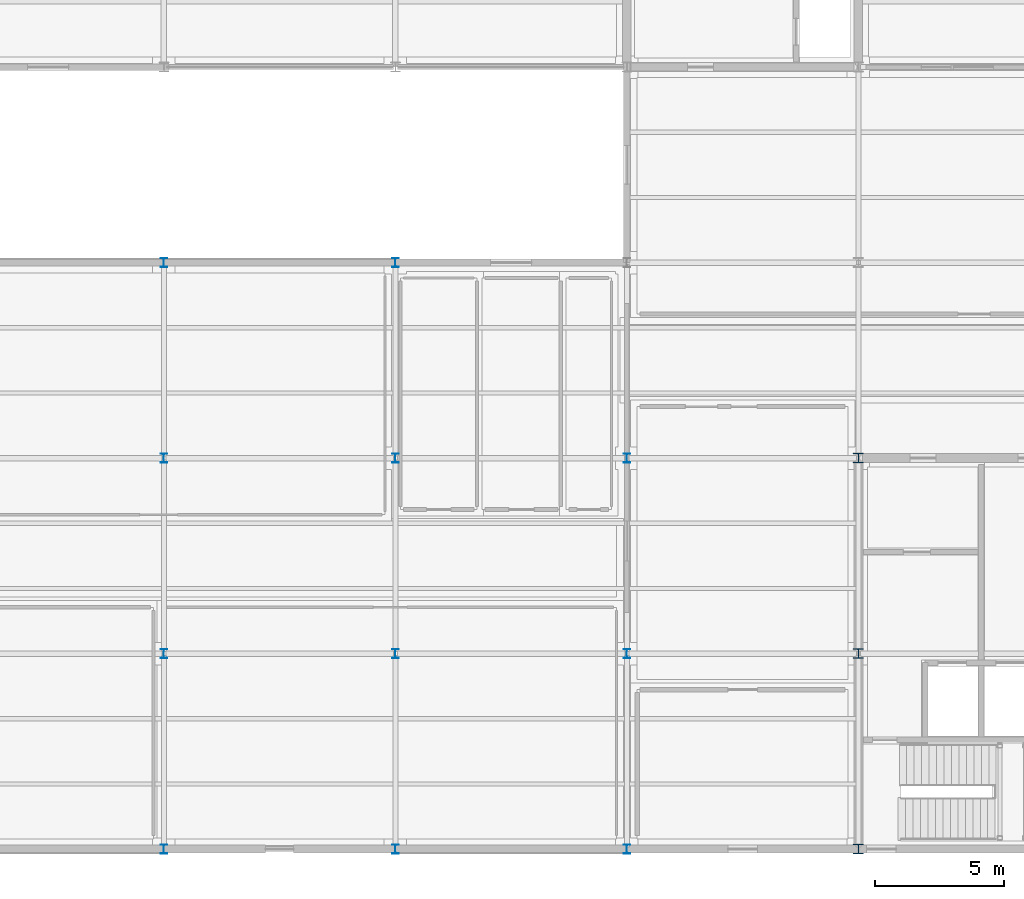
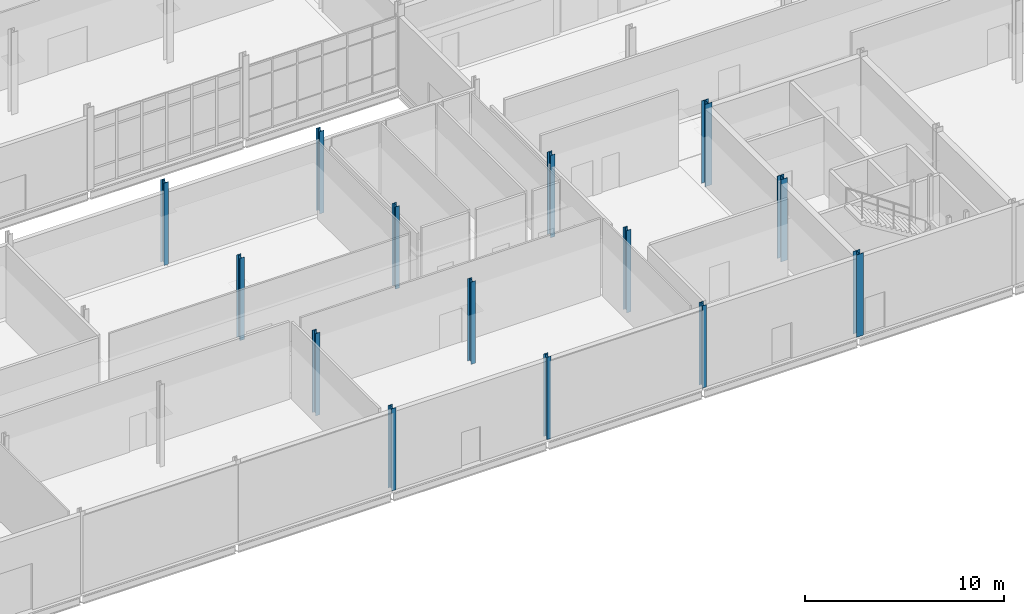
# One storey, part 4 of 161: 14 columns.
"""IFC4 building model written with IfcOpenShell, lengths in metres."""

import ifcopenshell
import ifcopenshell.guid

model = None  # the IFC model being written
_history = None  # IfcOwnerHistory: only IFC2X3 demands one
_inside = {}  # id of a spatial element -> (the spatial element, [elements in it])
_under = {}  # id of a project, library or spatial element -> (it, [spatial elements below it])
_declared = {}  # id of a project -> (the project, [libraries it declares])
_typed = {}  # id of a type object -> (the type object, [elements of that type])
_made_of = {}  # id of a material, layer set ... -> (it, [elements and type objects made of it])


def new_model(schema):
    """Start an empty IFC model of exactly this schema.

    Asked for "IFC4X3", IfcOpenShell would pick the latest addendum, in which some entities
    have other attributes; the version numbers below select the first issue.
    IFC2X3 requires an IfcOwnerHistory on every rooted entity: one is made here for all.
    """
    global model, _history
    if schema == "IFC4X3":
        model = ifcopenshell.file(schema_version=(4, 3, 0, 0))
    else:
        model = ifcopenshell.file(schema=schema)
    _inside.clear()
    _under.clear()
    _declared.clear()
    _typed.clear()
    _made_of.clear()
    _history = None
    if model.schema == "IFC2X3":
        org = make("IfcOrganization", Name="unknown")
        user = make(
            "IfcPersonAndOrganization",
            ThePerson=make("IfcPerson", FamilyName="unknown"),
            TheOrganization=org,
        )
        app = make(
            "IfcApplication",
            ApplicationDeveloper=org,
            Version="unknown",
            ApplicationFullName="unknown",
            ApplicationIdentifier="unknown",
        )
        _history = make(
            "IfcOwnerHistory",
            OwningUser=user,
            OwningApplication=app,
            ChangeAction="ADDED",
            CreationDate=0,
        )
    return model


def make(cls, **values):
    """One entity of the class cls with the attributes given. An attribute that is None is left unset."""
    return model.create_entity(
        cls, **{name: value for name, value in values.items() if value is not None}
    )


def rooted(cls, **values):
    """An entity with a GlobalId (a new one), such as an element, a storey or a relation."""
    return make(cls, GlobalId=ifcopenshell.guid.new(), OwnerHistory=_history, **values)


def si_unit(unit_type, name, prefix=None):
    """IfcSIUnit, for example si_unit("LENGTHUNIT", "METRE", prefix="MILLI")."""
    return make("IfcSIUnit", UnitType=unit_type, Prefix=prefix, Name=name)


def assignment(units):
    """IfcUnitAssignment: the units of a project."""
    return None if units is None else make("IfcUnitAssignment", Units=units)


def point(xyz):
    """IfcCartesianPoint."""
    return None if xyz is None else make("IfcCartesianPoint", Coordinates=xyz)


def direction(xyz):
    """IfcDirection."""
    return None if xyz is None else make("IfcDirection", DirectionRatios=xyz)


def frame(location, z_axis=None, x_axis=None):
    """IfcAxis2Placement3D, a coordinate frame: its origin and axes. An axis left out is left unset."""
    return make(
        "IfcAxis2Placement3D",
        Location=point(location),
        Axis=direction(z_axis),
        RefDirection=direction(x_axis),
    )


def frame_2d(location, x_axis=None):
    """IfcAxis2Placement2D, a coordinate frame in the plane: its origin and x axis."""
    return make(
        "IfcAxis2Placement2D", Location=point(location), RefDirection=direction(x_axis)
    )


def origin():
    """The frame at (0, 0, 0) with its axes left unset."""
    return frame((0.0, 0.0, 0.0))


def origin_2d():
    """The frame at (0, 0) in the plane with its x axis left unset."""
    return frame_2d((0.0, 0.0))


def place(relative_to, where):
    """IfcLocalPlacement: puts the frame where relative to a parent placement (None: the world)."""
    return make(
        "IfcLocalPlacement", PlacementRelTo=relative_to, RelativePlacement=where
    )


def context(
    kind, dimensions, precision=None, world=None, true_north=None, identifier=None
):
    """IfcGeometricRepresentationContext, for example the 3D "Model" context."""
    return make(
        "IfcGeometricRepresentationContext",
        ContextIdentifier=identifier,
        ContextType=kind,
        CoordinateSpaceDimension=dimensions,
        Precision=precision,
        WorldCoordinateSystem=world,
        TrueNorth=true_north,
    )


def subcontext(parent, identifier, kind, view, scale=None):
    """IfcGeometricRepresentationSubContext, for example "Body" below "Model"."""
    return make(
        "IfcGeometricRepresentationSubContext",
        ContextIdentifier=identifier,
        ContextType=kind,
        ParentContext=parent,
        TargetScale=scale,
        TargetView=view,
    )


def project(units=None, contexts=None):
    """IfcProject with its units and contexts."""
    return rooted(
        "IfcProject",
        Name="project",
        RepresentationContexts=contexts,
        UnitsInContext=assignment(units),
    )


def spatial(cls, under=None, at=None, **own):
    """A site, building, storey or space (cls), placed at a placement, below another one or the project."""
    s = rooted(cls, ObjectPlacement=at, **own)
    if under is not None:
        _under.setdefault(under.id(), (under, []))[1].append(s)
    return s


def profile(cls, at=None, kind="AREA", **sizes):
    """A parametric profile (cls). Its sizes go by their IFC names, for example OverallWidth=200.0."""
    return make(cls, ProfileType=kind, Position=at, **sizes)


def i_section(**sizes):
    """IfcIShapeProfileDef."""
    return profile("IfcIShapeProfileDef", **sizes)


def extrude(swept, where, along, depth):
    """IfcExtrudedAreaSolid: the profile swept, set in the frame where, extruded along a direction by depth."""
    return make(
        "IfcExtrudedAreaSolid",
        SweptArea=swept,
        Position=where,
        ExtrudedDirection=direction(along),
        Depth=depth,
    )


def shape(context_of_items, identifier, shape_type, items):
    """IfcShapeRepresentation: the items that make up one representation, for example the "Body"."""
    return make(
        "IfcShapeRepresentation",
        ContextOfItems=context_of_items,
        RepresentationIdentifier=identifier,
        RepresentationType=shape_type,
        Items=items,
    )


def material(Name=None, Category=None):
    """IfcMaterial."""
    return make("IfcMaterial", Name=Name, Category=Category)


def material_profile(
    of_material, cross_section, Name=None, Category=None, Priority=None
):
    """IfcMaterialProfile: a cross section and its material."""
    return make(
        "IfcMaterialProfile",
        Name=Name,
        Material=of_material,
        Profile=cross_section,
        Priority=Priority,
        Category=Category,
    )


def profile_set(profiles, Name=None, composite=None):
    """IfcMaterialProfileSet."""
    return make(
        "IfcMaterialProfileSet",
        Name=Name,
        MaterialProfiles=profiles,
        CompositeProfile=composite,
    )


def made_of(thing, what):
    """Note that an element or type object is made of a material, layer set ...; save() writes the relation."""
    if what is not None:
        _made_of.setdefault(what.id(), (what, []))[1].append(thing)
    return thing


def type_object(cls, material=None, **own):
    """A type object (cls), such as IfcWallType, which elements share."""
    return made_of(rooted(cls, **own), material)


def element(
    cls,
    number,
    at=None,
    inside=None,
    cuts=None,
    type_object=None,
    material=None,
    context=None,
    identifier="Body",
    shape_type=None,
    held_by="IfcProductDefinitionShape",
    body=None,
    shapes=None,
    **own,
):
    """One element of the class cls, such as IfcWall. Its Tag is "e" and its number.

    at: its placement. inside: the storey or other place that contains it. cuts: it is an
    opening in that element (IfcRelVoidsElement). A single representation is given by context,
    identifier, shape_type and body (its items); several are given by shapes. held_by: the class
    of the entity that holds the representations. save() writes the other relations.
    """
    e = rooted(cls, Tag="e%d" % number, ObjectPlacement=at, **own)
    if body is not None:
        shapes = [shape(context, identifier, shape_type, body)]
    if shapes is not None:
        e.Representation = make(held_by, Representations=shapes)
    if inside is not None:
        _inside.setdefault(inside.id(), (inside, []))[1].append(e)
    if cuts is not None:
        rooted(
            "IfcRelVoidsElement", RelatingBuildingElement=cuts, RelatedOpeningElement=e
        )
    if type_object is not None:
        _typed.setdefault(type_object.id(), (type_object, []))[1].append(e)
    return made_of(e, material)


def aggregate(whole, parts):
    """IfcRelAggregates: a whole, such as a stair, and the parts it consists of."""
    return rooted("IfcRelAggregates", RelatingObject=whole, RelatedObjects=parts)


def save(model, path):
    """Write the relations noted so far, then the file.

    IfcRelAggregates (storeys below a building ...), IfcRelContainedInSpatialStructure (elements
    in a storey), IfcRelDefinesByType, IfcRelAssociatesMaterial and IfcRelDeclares: one each for
    every whole, place, type object, material and project.
    """
    for whole, parts in _under.values():
        aggregate(whole, parts)
    for where, things in _inside.values():
        rooted(
            "IfcRelContainedInSpatialStructure",
            RelatedElements=things,
            RelatingStructure=where,
        )
    for kind, things in _typed.values():
        rooted("IfcRelDefinesByType", RelatedObjects=things, RelatingType=kind)
    for what, things in _made_of.values():
        rooted("IfcRelAssociatesMaterial", RelatedObjects=things, RelatingMaterial=what)
    for by, libraries in _declared.values():
        rooted("IfcRelDeclares", RelatingContext=by, RelatedDefinitions=libraries)
    model.write(path)


model = new_model("IFC4")

# Units and contexts
model_context = context("Model", 3, precision=1e-05, world=origin(), true_north=direction((0.0, 1.0)))
body_context = subcontext(model_context, "Body", "Model", "MODEL_VIEW")
ifc_project = project(units=[si_unit("LENGTHUNIT", "METRE"), si_unit("AREAUNIT", "SQUARE_METRE"), si_unit("VOLUMEUNIT", "CUBIC_METRE"), si_unit("PLANEANGLEUNIT", "RADIAN"), si_unit("MASSUNIT", "GRAM", prefix="KILO")], contexts=[model_context])

# Site, building, storey
site_placement = place(None, origin())
site = spatial("IfcSite", under=ifc_project, at=site_placement, CompositionType="ELEMENT")
building_placement = place(site_placement, origin())
building = spatial("IfcBuilding", under=site, at=building_placement, Name="Caisbarro Railhouse Central Library", CompositionType="ELEMENT")
storey_placement = place(building_placement, origin())
storey = spatial("IfcBuildingStorey", under=building, at=storey_placement, Name="L00", CompositionType="ELEMENT", Elevation=0.0)

# Columns
ifc_material = material(Name="Steel ASTM A572 Grade 50", Category="steel")
ifc_material_profile_1 = material_profile(ifc_material, i_section(OverallWidth=0.39404296875, OverallDepth=0.375, WebThickness=0.017333984375, FlangeThickness=0.027587890625, FilletRadius=0.01806640625, at=origin_2d()), Name="W360X216.0")
ifc_profile_set_1 = profile_set([ifc_material_profile_1], Name="Steel ASTM A572 Grade 50")
column_type_1 = type_object("IfcColumnType", Name="COL-C01", PredefinedType="COLUMN", material=ifc_profile_set_1)
for number, where, z_axis, x_axis, name in (
    (1, (63.0, 0.0, 0.0), (0.0, 0.0, 1.0), (1.0, 0.0, 0.0), "C01 column L00 (63.0,0.0)"),
    (2, (63.0, 7.60009765625, 0.0), (0.0, 0.0, 1.0), (1.0, 0.0, 0.0), "C01 column L00 (63.0,7.6)"),
    (3, (63.0, 15.199951171875, 0.0), (0.0, 0.0, 1.0), (1.0, 0.0, 0.0), "C01 column L00 (63.0,15.2)"),
):
    element("IfcColumn", number, at=place(storey_placement, frame(where, z_axis=z_axis, x_axis=x_axis)), inside=storey, type_object=column_type_1, Name=name, PredefinedType="COLUMN", context=body_context, shape_type="SweptSolid", body=[
        extrude(i_section(OverallWidth=0.39404296875, OverallDepth=0.375, WebThickness=0.017333984375, FlangeThickness=0.027587890625, FilletRadius=0.01806640625, at=origin_2d()), origin(), (0.0, 0.0, 1.0), 5.0400390625),
    ])
ifc_material_profile_2 = material_profile(ifc_material, i_section(OverallWidth=0.25390625, OverallDepth=0.35302734375, WebThickness=0.009521484375, FlangeThickness=0.016357421875, FilletRadius=0.014892578125, at=origin_2d()), Name="W360X91.0")
ifc_profile_set_2 = profile_set([ifc_material_profile_2], Name="Steel ASTM A572 Grade 50")
column_type_2 = type_object("IfcColumnType", Name="COL-C05", PredefinedType="COLUMN", material=ifc_profile_set_2)
for number, where, z_axis, x_axis, name in (
    (4, (36.0, 0.0, 0.0), (0.0, 0.0, 1.0), (1.0, 0.0, 0.0), "C05 column L00 (36.0,0.0)"),
    (5, (36.0, 7.60009765625, 0.0), (0.0, 0.0, 1.0), (1.0, 0.0, 0.0), "C05 column L00 (36.0,7.6)"),
    (6, (36.0, 15.199951171875, 0.0), (0.0, 0.0, 1.0), (1.0, 0.0, 0.0), "C05 column L00 (36.0,15.2)"),
    (7, (36.0, 22.800048828125, 0.0), (0.0, 0.0, 1.0), (1.0, 0.0, 0.0), "C05 column L00 (36.0,22.8)"),
    (8, (45.0, 0.0, 0.0), (0.0, 0.0, 1.0), (1.0, 0.0, 0.0), "C05 column L00 (45.0,0.0)"),
    (9, (45.0, 7.60009765625, 0.0), (0.0, 0.0, 1.0), (1.0, 0.0, 0.0), "C05 column L00 (45.0,7.6)"),
    (10, (45.0, 15.199951171875, 0.0), (0.0, 0.0, 1.0), (1.0, 0.0, 0.0), "C05 column L00 (45.0,15.2)"),
    (11, (45.0, 22.800048828125, 0.0), (0.0, 0.0, 1.0), (1.0, 0.0, 0.0), "C05 column L00 (45.0,22.8)"),
    (12, (54.0, 0.0, 0.0), (0.0, 0.0, 1.0), (1.0, 0.0, 0.0), "C05 column L00 (54.0,0.0)"),
    (13, (54.0, 7.60009765625, 0.0), (0.0, 0.0, 1.0), (1.0, 0.0, 0.0), "C05 column L00 (54.0,7.6)"),
    (14, (54.0, 15.199951171875, 0.0), (0.0, 0.0, 1.0), (1.0, 0.0, 0.0), "C05 column L00 (54.0,15.2)"),
):
    element("IfcColumn", number, at=place(storey_placement, frame(where, z_axis=z_axis, x_axis=x_axis)), inside=storey, type_object=column_type_2, Name=name, PredefinedType="COLUMN", context=body_context, shape_type="SweptSolid", body=[
        extrude(i_section(OverallWidth=0.25390625, OverallDepth=0.35302734375, WebThickness=0.009521484375, FlangeThickness=0.016357421875, FilletRadius=0.014892578125, at=origin_2d()), origin(), (0.0, 0.0, 1.0), 5.0400390625),
    ])

save(model, "model.ifc")
